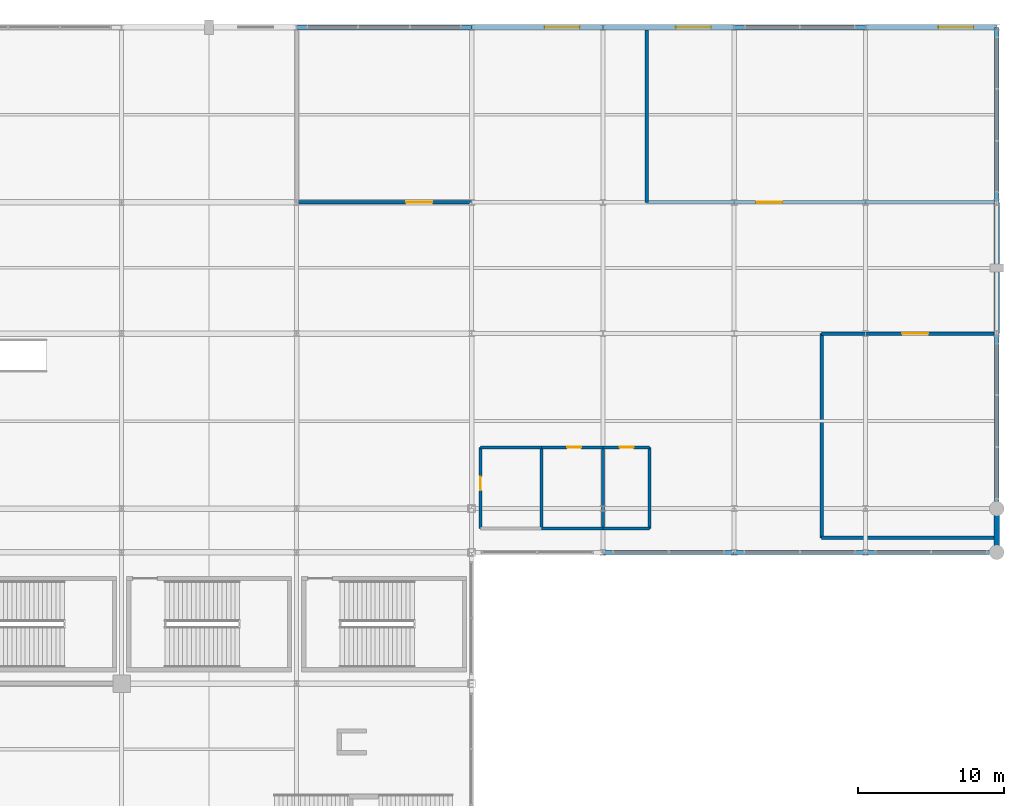
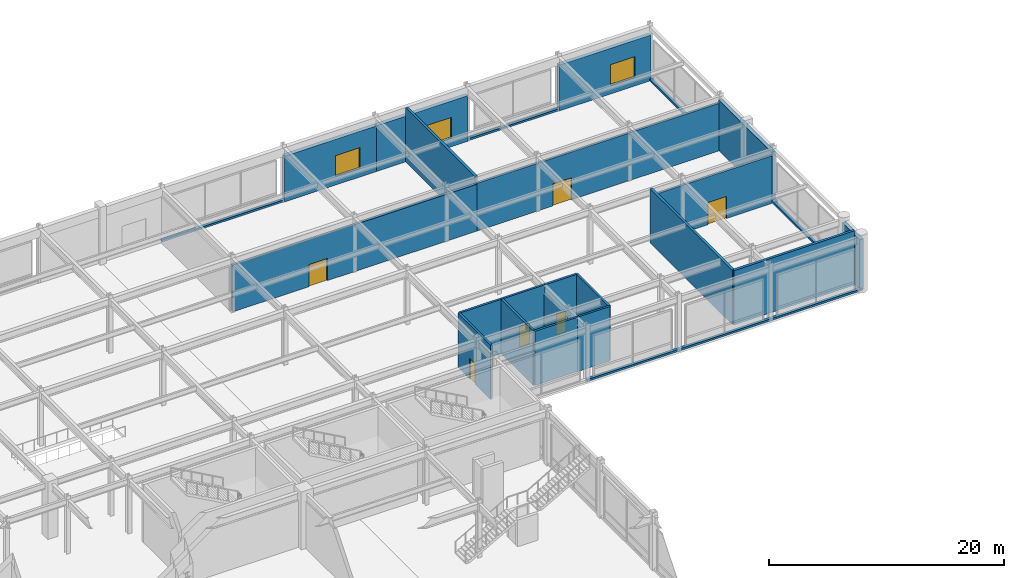
# One storey, part 96 of 108: 27 walls, 6 doors, 3 windows, 9 openings.
"""IFC4 building model written with IfcOpenShell, lengths in metres."""

import ifcopenshell
import ifcopenshell.guid

model = None  # the IFC model being written
_history = None  # IfcOwnerHistory: only IFC2X3 demands one
_inside = {}  # id of a spatial element -> (the spatial element, [elements in it])
_under = {}  # id of a project, library or spatial element -> (it, [spatial elements below it])
_declared = {}  # id of a project -> (the project, [libraries it declares])
_typed = {}  # id of a type object -> (the type object, [elements of that type])
_made_of = {}  # id of a material, layer set ... -> (it, [elements and type objects made of it])


def new_model(schema):
    """Start an empty IFC model of exactly this schema.

    Asked for "IFC4X3", IfcOpenShell would pick the latest addendum, in which some entities
    have other attributes; the version numbers below select the first issue.
    IFC2X3 requires an IfcOwnerHistory on every rooted entity: one is made here for all.
    """
    global model, _history
    if schema == "IFC4X3":
        model = ifcopenshell.file(schema_version=(4, 3, 0, 0))
    else:
        model = ifcopenshell.file(schema=schema)
    _inside.clear()
    _under.clear()
    _declared.clear()
    _typed.clear()
    _made_of.clear()
    _history = None
    if model.schema == "IFC2X3":
        org = make("IfcOrganization", Name="unknown")
        user = make(
            "IfcPersonAndOrganization",
            ThePerson=make("IfcPerson", FamilyName="unknown"),
            TheOrganization=org,
        )
        app = make(
            "IfcApplication",
            ApplicationDeveloper=org,
            Version="unknown",
            ApplicationFullName="unknown",
            ApplicationIdentifier="unknown",
        )
        _history = make(
            "IfcOwnerHistory",
            OwningUser=user,
            OwningApplication=app,
            ChangeAction="ADDED",
            CreationDate=0,
        )
    return model


def make(cls, **values):
    """One entity of the class cls with the attributes given. An attribute that is None is left unset."""
    return model.create_entity(
        cls, **{name: value for name, value in values.items() if value is not None}
    )


def rooted(cls, **values):
    """An entity with a GlobalId (a new one), such as an element, a storey or a relation."""
    return make(cls, GlobalId=ifcopenshell.guid.new(), OwnerHistory=_history, **values)


def si_unit(unit_type, name, prefix=None):
    """IfcSIUnit, for example si_unit("LENGTHUNIT", "METRE", prefix="MILLI")."""
    return make("IfcSIUnit", UnitType=unit_type, Prefix=prefix, Name=name)


def assignment(units):
    """IfcUnitAssignment: the units of a project."""
    return None if units is None else make("IfcUnitAssignment", Units=units)


def point(xyz):
    """IfcCartesianPoint."""
    return None if xyz is None else make("IfcCartesianPoint", Coordinates=xyz)


def direction(xyz):
    """IfcDirection."""
    return None if xyz is None else make("IfcDirection", DirectionRatios=xyz)


def frame(location, z_axis=None, x_axis=None):
    """IfcAxis2Placement3D, a coordinate frame: its origin and axes. An axis left out is left unset."""
    return make(
        "IfcAxis2Placement3D",
        Location=point(location),
        Axis=direction(z_axis),
        RefDirection=direction(x_axis),
    )


def frame_2d(location, x_axis=None):
    """IfcAxis2Placement2D, a coordinate frame in the plane: its origin and x axis."""
    return make(
        "IfcAxis2Placement2D", Location=point(location), RefDirection=direction(x_axis)
    )


def origin():
    """The frame at (0, 0, 0) with its axes left unset."""
    return frame((0.0, 0.0, 0.0))


def place(relative_to, where):
    """IfcLocalPlacement: puts the frame where relative to a parent placement (None: the world)."""
    return make(
        "IfcLocalPlacement", PlacementRelTo=relative_to, RelativePlacement=where
    )


def context(
    kind, dimensions, precision=None, world=None, true_north=None, identifier=None
):
    """IfcGeometricRepresentationContext, for example the 3D "Model" context."""
    return make(
        "IfcGeometricRepresentationContext",
        ContextIdentifier=identifier,
        ContextType=kind,
        CoordinateSpaceDimension=dimensions,
        Precision=precision,
        WorldCoordinateSystem=world,
        TrueNorth=true_north,
    )


def subcontext(parent, identifier, kind, view, scale=None):
    """IfcGeometricRepresentationSubContext, for example "Body" below "Model"."""
    return make(
        "IfcGeometricRepresentationSubContext",
        ContextIdentifier=identifier,
        ContextType=kind,
        ParentContext=parent,
        TargetScale=scale,
        TargetView=view,
    )


def project(units=None, contexts=None):
    """IfcProject with its units and contexts."""
    return rooted(
        "IfcProject",
        Name="project",
        RepresentationContexts=contexts,
        UnitsInContext=assignment(units),
    )


def spatial(cls, under=None, at=None, **own):
    """A site, building, storey or space (cls), placed at a placement, below another one or the project."""
    s = rooted(cls, ObjectPlacement=at, **own)
    if under is not None:
        _under.setdefault(under.id(), (under, []))[1].append(s)
    return s


def profile(cls, at=None, kind="AREA", **sizes):
    """A parametric profile (cls). Its sizes go by their IFC names, for example OverallWidth=200.0."""
    return make(cls, ProfileType=kind, Position=at, **sizes)


def rectangle(**sizes):
    """IfcRectangleProfileDef."""
    return profile("IfcRectangleProfileDef", **sizes)


def extrude(swept, where, along, depth):
    """IfcExtrudedAreaSolid: the profile swept, set in the frame where, extruded along a direction by depth."""
    return make(
        "IfcExtrudedAreaSolid",
        SweptArea=swept,
        Position=where,
        ExtrudedDirection=direction(along),
        Depth=depth,
    )


def shape(context_of_items, identifier, shape_type, items):
    """IfcShapeRepresentation: the items that make up one representation, for example the "Body"."""
    return make(
        "IfcShapeRepresentation",
        ContextOfItems=context_of_items,
        RepresentationIdentifier=identifier,
        RepresentationType=shape_type,
        Items=items,
    )


def material(Name=None, Category=None):
    """IfcMaterial."""
    return make("IfcMaterial", Name=Name, Category=Category)


def layer(
    of_material, thickness, ventilated=None, Name=None, Category=None, Priority=None
):
    """IfcMaterialLayer: one layer of a wall or slab, of a material (None: an air gap)."""
    return make(
        "IfcMaterialLayer",
        Material=of_material,
        LayerThickness=thickness,
        IsVentilated=ventilated,
        Name=Name,
        Category=Category,
        Priority=Priority,
    )


def layer_set(layers, Name=None):
    """IfcMaterialLayerSet."""
    return make("IfcMaterialLayerSet", MaterialLayers=layers, LayerSetName=Name)


def made_of(thing, what):
    """Note that an element or type object is made of a material, layer set ...; save() writes the relation."""
    if what is not None:
        _made_of.setdefault(what.id(), (what, []))[1].append(thing)
    return thing


def type_object(cls, material=None, **own):
    """A type object (cls), such as IfcWallType, which elements share."""
    return made_of(rooted(cls, **own), material)


def element(
    cls,
    number,
    at=None,
    inside=None,
    cuts=None,
    type_object=None,
    material=None,
    context=None,
    identifier="Body",
    shape_type=None,
    held_by="IfcProductDefinitionShape",
    body=None,
    shapes=None,
    **own,
):
    """One element of the class cls, such as IfcWall. Its Tag is "e" and its number.

    at: its placement. inside: the storey or other place that contains it. cuts: it is an
    opening in that element (IfcRelVoidsElement). A single representation is given by context,
    identifier, shape_type and body (its items); several are given by shapes. held_by: the class
    of the entity that holds the representations. save() writes the other relations.
    """
    e = rooted(cls, Tag="e%d" % number, ObjectPlacement=at, **own)
    if body is not None:
        shapes = [shape(context, identifier, shape_type, body)]
    if shapes is not None:
        e.Representation = make(held_by, Representations=shapes)
    if inside is not None:
        _inside.setdefault(inside.id(), (inside, []))[1].append(e)
    if cuts is not None:
        rooted(
            "IfcRelVoidsElement", RelatingBuildingElement=cuts, RelatedOpeningElement=e
        )
    if type_object is not None:
        _typed.setdefault(type_object.id(), (type_object, []))[1].append(e)
    return made_of(e, material)


def fill(opening, filler):
    """IfcRelFillsElement: the door or window that sits in an opening."""
    return rooted(
        "IfcRelFillsElement",
        RelatingOpeningElement=opening,
        RelatedBuildingElement=filler,
    )


def aggregate(whole, parts):
    """IfcRelAggregates: a whole, such as a stair, and the parts it consists of."""
    return rooted("IfcRelAggregates", RelatingObject=whole, RelatedObjects=parts)


def save(model, path):
    """Write the relations noted so far, then the file.

    IfcRelAggregates (storeys below a building ...), IfcRelContainedInSpatialStructure (elements
    in a storey), IfcRelDefinesByType, IfcRelAssociatesMaterial and IfcRelDeclares: one each for
    every whole, place, type object, material and project.
    """
    for whole, parts in _under.values():
        aggregate(whole, parts)
    for where, things in _inside.values():
        rooted(
            "IfcRelContainedInSpatialStructure",
            RelatedElements=things,
            RelatingStructure=where,
        )
    for kind, things in _typed.values():
        rooted("IfcRelDefinesByType", RelatedObjects=things, RelatingType=kind)
    for what, things in _made_of.values():
        rooted("IfcRelAssociatesMaterial", RelatedObjects=things, RelatingMaterial=what)
    for by, libraries in _declared.values():
        rooted("IfcRelDeclares", RelatingContext=by, RelatedDefinitions=libraries)
    model.write(path)


model = new_model("IFC4")

# Units and contexts
model_context = context("Model", 3, precision=1e-05, world=origin(), true_north=direction((0.0, 1.0)))
body_context = subcontext(model_context, "Body", "Model", "MODEL_VIEW")
ifc_project = project(units=[si_unit("LENGTHUNIT", "METRE"), si_unit("AREAUNIT", "SQUARE_METRE"), si_unit("VOLUMEUNIT", "CUBIC_METRE"), si_unit("PLANEANGLEUNIT", "RADIAN"), si_unit("MASSUNIT", "GRAM", prefix="KILO")], contexts=[model_context])

# Site, building, storey
site_placement = place(None, origin())
site = spatial("IfcSite", under=ifc_project, at=site_placement, CompositionType="ELEMENT")
building_placement = place(site_placement, origin())
building = spatial("IfcBuilding", under=site, at=building_placement, Name="Kaldorvane Square Convention Centre", CompositionType="ELEMENT")
storey_placement = place(building_placement, frame((0.0, 0.0, 12.0)))
storey = spatial("IfcBuildingStorey", under=building, at=storey_placement, Name="L02", CompositionType="ELEMENT", Elevation=12.0)

# Wall
ifc_material_1 = material(Name="Reinforced Concrete Masonry Acoustic Partition", Category="masonry")
ifc_layer_1 = layer(ifc_material_1, 0.2400054931640625)
ifc_layer_set_1 = layer_set([ifc_layer_1], Name="Reinforced Concrete Masonry Acoustic Partition")
wall_type_1 = type_object("IfcWallType", Name="WL-ACO-240", PredefinedType="PARTITIONING", material=ifc_layer_set_1)
wall_1_placement = place(storey_placement, frame((162.0, 82.0, 0.0), z_axis=(0.0, 0.0, 1.0), x_axis=(1.0, 0.0, 0.0)))
element("IfcWall", 1, at=wall_1_placement, inside=storey, type_object=wall_type_1, Name="Meeting Room 208 S Wall", PredefinedType="PARTITIONING", context=body_context, shape_type="SweptSolid", body=[
    extrude(rectangle(XDim=11.80999755859375, YDim=0.2400054931640625, at=frame_2d((5.904998779296875, 0.0))), origin(), (0.0, 0.0, 1.0), 5.649993896484375),
])

# Wall, opening, door
wall_2_placement = place(storey_placement, frame((173.80999755859375, 96.0, 0.0), z_axis=(0.0, 0.0, 1.0), x_axis=(-1.0, 0.0, 0.0)))
wall_2 = element("IfcWall", 2, at=wall_2_placement, inside=storey, type_object=wall_type_1, Name="Meeting Room 208 N Wall", PredefinedType="PARTITIONING", context=body_context, shape_type="SweptSolid", body=[
    extrude(rectangle(XDim=11.80999755859375, YDim=0.2400054931640625, at=frame_2d((5.904998779296875, 0.0))), origin(), (0.0, 0.0, 1.0), 4.957000732421875),
])
opening_1_placement = place(wall_2_placement, frame((4.5, 0.0, 0.0)))
opening_1 = element("IfcOpeningElement", 3, at=opening_1_placement, cuts=wall_2, Name="Opening ID-06", PredefinedType="OPENING", context=body_context, shape_type="SweptSolid", body=[
    extrude(rectangle(XDim=1.8000030517578125, YDim=2.3000030517578125, at=frame_2d((0.899993896484375, 1.149993896484375))), frame((0.0, 0.135009765625, 0.0), z_axis=(0.0, -1.0, 0.0), x_axis=(1.0, 0.0, 0.0)), (0.0, 0.0, 1.0), 0.2700042724609375),
])
ifc_material_2 = material(Name="Architectural Solid-Core White Oak")
door_type_1 = type_object("IfcDoorType", Name="DR-MEET-1800X2300", OperationType="DOUBLE_DOOR_SINGLE_SWING", PredefinedType="DOOR", material=ifc_material_2)
door_1_placement = place(opening_1_placement, origin())
door_1 = element("IfcDoor", 4, at=door_1_placement, inside=storey, type_object=door_type_1, Name="Meeting Room 208 Door 1", OperationType="DOUBLE_DOOR_SINGLE_SWING", OverallHeight=2.3000030517578125, OverallWidth=1.8000030517578125, PredefinedType="DOOR", context=body_context, shape_type="SweptSolid", body=[
    extrude(rectangle(XDim=1.8000030517578125, YDim=2.3000030517578125, at=frame_2d((0.899993896484375, 1.149993896484375))), frame((0.0, 0.024993896484375, 0.0), z_axis=(0.0, -1.0, 0.0), x_axis=(1.0, 0.0, 0.0)), (0.0, 0.0, 1.0), 0.0500030517578125),
])
fill(opening_1, door_1)

# Wall
wall_3_placement = place(storey_placement, frame((162.0, 96.0, 0.0), z_axis=(0.0, 0.0, 1.0), x_axis=(0.0, -1.0, 0.0)))
element("IfcWall", 5, at=wall_3_placement, inside=storey, type_object=wall_type_1, Name="Meeting Room 208 W Wall", PredefinedType="PARTITIONING", context=body_context, shape_type="SweptSolid", body=[
    extrude(rectangle(XDim=14.0, YDim=0.2400054931640625, at=frame_2d((7.0, 0.0))), origin(), (0.0, 0.0, 1.0), 5.649993896484375),
])

# Wall, opening, door
wall_4_placement = place(storey_placement, frame((126.0, 105.0, 0.0), z_axis=(0.0, 0.0, 1.0), x_axis=(1.0, 0.0, 0.0)))
wall_4 = element("IfcWall", 6, at=wall_4_placement, inside=storey, type_object=wall_type_1, Name="Meeting Room 209 S Wall", PredefinedType="PARTITIONING", context=body_context, shape_type="SweptSolid", body=[
    extrude(rectangle(XDim=24.0, YDim=0.2400054931640625, at=frame_2d((12.0, 0.0))), origin(), (0.0, 0.0, 1.0), 4.8719940185546875),
])
opening_2_placement = place(wall_4_placement, frame((7.5, 0.0, 0.0)))
opening_2 = element("IfcOpeningElement", 7, at=opening_2_placement, cuts=wall_4, Name="Opening ID-06", PredefinedType="OPENING", context=body_context, shape_type="SweptSolid", body=[
    extrude(rectangle(XDim=1.8000030517578125, YDim=2.3000030517578125, at=frame_2d((0.899993896484375, 1.149993896484375))), frame((0.0, 0.135009765625, 0.0), z_axis=(0.0, -1.0, 0.0), x_axis=(1.0, 0.0, 0.0)), (0.0, 0.0, 1.0), 0.2700042724609375),
])
door_2_placement = place(opening_2_placement, origin())
door_2 = element("IfcDoor", 8, at=door_2_placement, inside=storey, type_object=door_type_1, Name="Meeting Room 209 Door 1", OperationType="DOUBLE_DOOR_SINGLE_SWING", OverallHeight=2.3000030517578125, OverallWidth=1.8000030517578125, PredefinedType="DOOR", context=body_context, shape_type="SweptSolid", body=[
    extrude(rectangle(XDim=1.8000030517578125, YDim=2.3000030517578125, at=frame_2d((0.899993896484375, 1.149993896484375))), frame((0.0, 0.024993896484375, 0.0), z_axis=(0.0, -1.0, 0.0), x_axis=(1.0, 0.0, 0.0)), (0.0, 0.0, 1.0), 0.0500030517578125),
])
fill(opening_2, door_2)

# Wall
wall_5_placement = place(storey_placement, frame((150.0, 105.0, 0.0), z_axis=(0.0, 0.0, 1.0), x_axis=(0.0, 1.0, 0.0)))
element("IfcWall", 9, at=wall_5_placement, inside=storey, type_object=wall_type_1, Name="Meeting Room 209 E Wall", PredefinedType="PARTITIONING", context=body_context, shape_type="SweptSolid", body=[
    extrude(rectangle(XDim=11.80999755859375, YDim=0.2400054931640625, at=frame_2d((5.904998779296875, 0.0))), origin(), (0.0, 0.0, 1.0), 5.649993896484375),
])

# Wall, opening, door
wall_6_placement = place(storey_placement, frame((150.0, 105.0, 0.0), z_axis=(0.0, 0.0, 1.0), x_axis=(1.0, 0.0, 0.0)))
wall_6 = element("IfcWall", 10, at=wall_6_placement, inside=storey, type_object=wall_type_1, Name="Meeting Room 210 S Wall", PredefinedType="PARTITIONING", context=body_context, shape_type="SweptSolid", body=[
    extrude(rectangle(XDim=23.80999755859375, YDim=0.2400054931640625, at=frame_2d((11.904998779296875, 0.0))), origin(), (0.0, 0.0, 1.0), 4.957000732421875),
])
opening_3_placement = place(wall_6_placement, frame((7.5, 0.0, 0.0)))
opening_3 = element("IfcOpeningElement", 11, at=opening_3_placement, cuts=wall_6, Name="Opening ID-06", PredefinedType="OPENING", context=body_context, shape_type="SweptSolid", body=[
    extrude(rectangle(XDim=1.8000030517578125, YDim=2.3000030517578125, at=frame_2d((0.899993896484375, 1.149993896484375))), frame((0.0, 0.135009765625, 0.0), z_axis=(0.0, -1.0, 0.0), x_axis=(1.0, 0.0, 0.0)), (0.0, 0.0, 1.0), 0.2700042724609375),
])
door_3_placement = place(opening_3_placement, origin())
door_3 = element("IfcDoor", 12, at=door_3_placement, inside=storey, type_object=door_type_1, Name="Meeting Room 210 Door 1", OperationType="DOUBLE_DOOR_SINGLE_SWING", OverallHeight=2.3000030517578125, OverallWidth=1.8000030517578125, PredefinedType="DOOR", context=body_context, shape_type="SweptSolid", body=[
    extrude(rectangle(XDim=1.8000030517578125, YDim=2.3000030517578125, at=frame_2d((0.899993896484375, 1.149993896484375))), frame((0.0, 0.024993896484375, 0.0), z_axis=(0.0, -1.0, 0.0), x_axis=(1.0, 0.0, 0.0)), (0.0, 0.0, 1.0), 0.0500030517578125),
])
fill(opening_3, door_3)

# Walls
ifc_material_3 = material(Name="Fire-Rated Gypsum Board on Acoustic Steel Studs", Category="steel")
ifc_layer_2 = layer(ifc_material_3, 0.1999969482421875)
ifc_layer_set_2 = layer_set([ifc_layer_2], Name="Fire-Rated Gypsum Board on Acoustic Steel Studs")
wall_type_2 = type_object("IfcWallType", Name="WL-CORR-200", PredefinedType="PARTITIONING", material=ifc_layer_set_2)
wall_7_placement = place(storey_placement, frame((142.8000030517578, 82.64999389648438, 0.0), z_axis=(0.0, 0.0, 1.0), x_axis=(0.0, 1.0, 0.0)))
element("IfcWall", 13, at=wall_7_placement, inside=storey, type_object=wall_type_2, Name="East Concourse Men's Restroom (L02) E Wall", PredefinedType="PARTITIONING", context=body_context, shape_type="SweptSolid", body=[
    extrude(rectangle(XDim=5.5500030517578125, YDim=0.1999969482421875, at=frame_2d((2.774993896484375, 0.0))), origin(), (0.0, 0.0, 1.0), 5.649993896484375),
])
wall_8_placement = place(storey_placement, frame((142.8000030517578, 88.19999694824219, 0.0), z_axis=(0.0, 0.0, 1.0), x_axis=(-1.0, 0.0, 0.0)))
element("IfcWall", 14, at=wall_8_placement, inside=storey, type_object=wall_type_2, Name="East Concourse Men's Restroom (L02) N Wall", PredefinedType="PARTITIONING", context=body_context, shape_type="SweptSolid", body=[
    extrude(rectangle(XDim=4.1999969482421875, YDim=0.1999969482421875, at=frame_2d((2.100006103515625, 0.0))), origin(), (0.0, 0.0, 1.0), 5.649993896484375),
])

# Wall, opening, door
wall_9_placement = place(storey_placement, frame((138.60000610351562, 88.19999694824219, 0.0), z_axis=(0.0, 0.0, 1.0), x_axis=(0.0, -1.0, 0.0)))
wall_9 = element("IfcWall", 15, at=wall_9_placement, inside=storey, type_object=wall_type_2, Name="East Concourse Men's Restroom (L02) W Wall", PredefinedType="PARTITIONING", context=body_context, shape_type="SweptSolid", body=[
    extrude(rectangle(XDim=5.5500030517578125, YDim=0.1999969482421875, at=frame_2d((2.774993896484375, 0.0))), origin(), (0.0, 0.0, 1.0), 5.649993896484375),
])
opening_4_placement = place(wall_9_placement, frame((2.0, 0.0, 0.0)))
opening_4 = element("IfcOpeningElement", 16, at=opening_4_placement, cuts=wall_9, Name="Opening ID-13", PredefinedType="OPENING", context=body_context, shape_type="SweptSolid", body=[
    extrude(rectangle(XDim=0.9499969482421875, YDim=2.149993896484375, at=frame_2d((0.475006103515625, 1.0749969482421875))), frame((0.0, 0.114990234375, 0.0), z_axis=(0.0, -1.0, 0.0), x_axis=(1.0, 0.0, 0.0)), (0.0, 0.0, 1.0), 0.2299957275390625),
])
door_type_2 = type_object("IfcDoorType", Name="DR-WC-0950X2150", OperationType="SINGLE_SWING_LEFT", PredefinedType="DOOR", material=ifc_material_2)
door_4_placement = place(opening_4_placement, origin())
door_4 = element("IfcDoor", 17, at=door_4_placement, inside=storey, type_object=door_type_2, Name="East Concourse Men's Restroom (L02) Door 1", OperationType="SINGLE_SWING_LEFT", OverallHeight=2.149993896484375, OverallWidth=0.9499969482421875, PredefinedType="DOOR", context=body_context, shape_type="SweptSolid", body=[
    extrude(rectangle(XDim=0.9499969482421875, YDim=2.149993896484375, at=frame_2d((0.475006103515625, 1.0749969482421875))), frame((0.0, 0.024993896484375, 0.0), z_axis=(0.0, -1.0, 0.0), x_axis=(1.0, 0.0, 0.0)), (0.0, 0.0, 1.0), 0.0500030517578125),
])
fill(opening_4, door_4)

# Walls
wall_10_placement = place(storey_placement, frame((142.8000030517578, 82.64999389648438, 0.0), z_axis=(0.0, 0.0, 1.0), x_axis=(1.0, 0.0, 0.0)))
element("IfcWall", 18, at=wall_10_placement, inside=storey, type_object=wall_type_2, Name="East Concourse Women's Restroom (L02) S Wall", PredefinedType="PARTITIONING", context=body_context, shape_type="SweptSolid", body=[
    extrude(rectangle(XDim=4.1999969482421875, YDim=0.1999969482421875, at=frame_2d((2.100006103515625, 0.0))), origin(), (0.0, 0.0, 1.0), 5.649993896484375),
])
wall_11_placement = place(storey_placement, frame((147.0, 82.64999389648438, 0.0), z_axis=(0.0, 0.0, 1.0), x_axis=(0.0, 1.0, 0.0)))
element("IfcWall", 19, at=wall_11_placement, inside=storey, type_object=wall_type_2, Name="East Concourse Women's Restroom (L02) E Wall", PredefinedType="PARTITIONING", context=body_context, shape_type="SweptSolid", body=[
    extrude(rectangle(XDim=5.5500030517578125, YDim=0.1999969482421875, at=frame_2d((2.774993896484375, 0.0))), origin(), (0.0, 0.0, 1.0), 4.8000030517578125),
])

# Wall, opening, door
wall_12_placement = place(storey_placement, frame((147.0, 88.19999694824219, 0.0), z_axis=(0.0, 0.0, 1.0), x_axis=(-1.0, 0.0, 0.0)))
wall_12 = element("IfcWall", 20, at=wall_12_placement, inside=storey, type_object=wall_type_2, Name="East Concourse Women's Restroom (L02) N Wall", PredefinedType="PARTITIONING", context=body_context, shape_type="SweptSolid", body=[
    extrude(rectangle(XDim=4.1999969482421875, YDim=0.1999969482421875, at=frame_2d((2.100006103515625, 0.0))), origin(), (0.0, 0.0, 1.0), 5.649993896484375),
])
opening_5_placement = place(wall_12_placement, frame((1.5, 0.0, 0.0)))
opening_5 = element("IfcOpeningElement", 21, at=opening_5_placement, cuts=wall_12, Name="Opening ID-13", PredefinedType="OPENING", context=body_context, shape_type="SweptSolid", body=[
    extrude(rectangle(XDim=0.9499969482421875, YDim=2.149993896484375, at=frame_2d((0.475006103515625, 1.0749969482421875))), frame((0.0, 0.114990234375, 0.0), z_axis=(0.0, -1.0, 0.0), x_axis=(1.0, 0.0, 0.0)), (0.0, 0.0, 1.0), 0.2299957275390625),
])
door_5_placement = place(opening_5_placement, origin())
door_5 = element("IfcDoor", 22, at=door_5_placement, inside=storey, type_object=door_type_2, Name="East Concourse Women's Restroom (L02) Door 1", OperationType="SINGLE_SWING_LEFT", OverallHeight=2.149993896484375, OverallWidth=0.9499969482421875, PredefinedType="DOOR", context=body_context, shape_type="SweptSolid", body=[
    extrude(rectangle(XDim=0.9499969482421875, YDim=2.149993896484375, at=frame_2d((0.475006103515625, 1.0749969482421875))), frame((0.0, 0.024993896484375, 0.0), z_axis=(0.0, -1.0, 0.0), x_axis=(1.0, 0.0, 0.0)), (0.0, 0.0, 1.0), 0.0500030517578125),
])
fill(opening_5, door_5)

# Walls
wall_13_placement = place(storey_placement, frame((147.0, 82.64999389648438, 0.0), z_axis=(0.0, 0.0, 1.0), x_axis=(1.0, 0.0, 0.0)))
element("IfcWall", 23, at=wall_13_placement, inside=storey, type_object=wall_type_2, Name="East Concourse Accessible Restroom (L02) S Wall", PredefinedType="PARTITIONING", context=body_context, shape_type="SweptSolid", body=[
    extrude(rectangle(XDim=3.1999969482421875, YDim=0.1999969482421875, at=frame_2d((1.600006103515625, 0.0))), origin(), (0.0, 0.0, 1.0), 5.649993896484375),
])
wall_14_placement = place(storey_placement, frame((150.1999969482422, 82.64999389648438, 0.0), z_axis=(0.0, 0.0, 1.0), x_axis=(0.0, 1.0, 0.0)))
element("IfcWall", 24, at=wall_14_placement, inside=storey, type_object=wall_type_2, Name="East Concourse Accessible Restroom (L02) E Wall", PredefinedType="PARTITIONING", context=body_context, shape_type="SweptSolid", body=[
    extrude(rectangle(XDim=5.5500030517578125, YDim=0.1999969482421875, at=frame_2d((2.774993896484375, 0.0))), origin(), (0.0, 0.0, 1.0), 5.649993896484375),
])

# Wall, opening, door
wall_15_placement = place(storey_placement, frame((150.1999969482422, 88.19999694824219, 0.0), z_axis=(0.0, 0.0, 1.0), x_axis=(-1.0, 0.0, 0.0)))
wall_15 = element("IfcWall", 25, at=wall_15_placement, inside=storey, type_object=wall_type_2, Name="East Concourse Accessible Restroom (L02) N Wall", PredefinedType="PARTITIONING", context=body_context, shape_type="SweptSolid", body=[
    extrude(rectangle(XDim=3.1999969482421875, YDim=0.1999969482421875, at=frame_2d((1.600006103515625, 0.0))), origin(), (0.0, 0.0, 1.0), 5.649993896484375),
])
opening_6_placement = place(wall_15_placement, frame((1.100006103515625, 0.0, 0.0)))
opening_6 = element("IfcOpeningElement", 26, at=opening_6_placement, cuts=wall_15, Name="Opening ID-13", PredefinedType="OPENING", context=body_context, shape_type="SweptSolid", body=[
    extrude(rectangle(XDim=0.9499969482421875, YDim=2.149993896484375, at=frame_2d((0.475006103515625, 1.0749969482421875))), frame((0.0, 0.114990234375, 0.0), z_axis=(0.0, -1.0, 0.0), x_axis=(1.0, 0.0, 0.0)), (0.0, 0.0, 1.0), 0.2299957275390625),
])
door_6_placement = place(opening_6_placement, origin())
door_6 = element("IfcDoor", 27, at=door_6_placement, inside=storey, type_object=door_type_2, Name="East Concourse Accessible Restroom (L02) Door 1", OperationType="SINGLE_SWING_LEFT", OverallHeight=2.149993896484375, OverallWidth=0.9499969482421875, PredefinedType="DOOR", context=body_context, shape_type="SweptSolid", body=[
    extrude(rectangle(XDim=0.9499969482421875, YDim=2.149993896484375, at=frame_2d((0.475006103515625, 1.0749969482421875))), frame((0.0, 0.024993896484375, 0.0), z_axis=(0.0, -1.0, 0.0), x_axis=(1.0, 0.0, 0.0)), (0.0, 0.0, 1.0), 0.0500030517578125),
])
fill(opening_6, door_6)

# Wall, opening, window
ifc_material_4 = material(Name="Concrete f'c = 42 MPa (Normalweight)", Category="concrete")
ifc_layer_3 = layer(ifc_material_4, 0.3800048828125)
ifc_layer_set_3 = layer_set([ifc_layer_3], Name="Concrete f'c = 42 MPa (Normalweight)")
wall_type_3 = type_object("IfcWallType", Name="WL-EXT-380", PredefinedType="STANDARD", material=ifc_layer_set_3)
wall_16_placement = place(storey_placement, frame((147.0, 117.0, 0.0), z_axis=(0.0, 0.0, 1.0), x_axis=(-1.0, 0.0, 0.0)))
wall_16 = element("IfcWall", 28, at=wall_16_placement, inside=storey, type_object=wall_type_3, Name="North Square Brutalist Facade Wall (L02)", PredefinedType="STANDARD", context=body_context, shape_type="SweptSolid", body=[
    extrude(rectangle(XDim=9.0, YDim=0.3800048828125, at=frame_2d((4.5, 0.0))), origin(), (0.0, 0.0, 1.0), 4.746002197265625),
])
opening_7_placement = place(wall_16_placement, frame((1.600006103515625, 0.0, 0.899993896484375)))
opening_7 = element("IfcOpeningElement", 29, at=opening_7_placement, cuts=wall_16, Name="Opening W-19", PredefinedType="OPENING", context=body_context, shape_type="SweptSolid", body=[
    extrude(rectangle(XDim=2.399993896484375, YDim=2.149993896484375, at=frame_2d((1.1999969482421875, 1.0749969482421875))), frame((0.0, 0.2050018310546875, 0.0), z_axis=(0.0, -1.0, 0.0), x_axis=(1.0, 0.0, 0.0)), (0.0, 0.0, 1.0), 0.410003662109375),
])
ifc_material_5 = material(Name="Anodized Aluminum and Low-E Insulated Glazing", Category="aluminium")
window_type = type_object("IfcWindowType", Name="WN-POD-2400X2150", PartitioningType="DOUBLE_PANEL_VERTICAL", PredefinedType="WINDOW", material=ifc_material_5)
window_1_placement = place(opening_7_placement, origin())
window_1 = element("IfcWindow", 30, at=window_1_placement, inside=storey, type_object=window_type, Name="North Facade Window (L02)", OverallHeight=2.149993896484375, OverallWidth=2.399993896484375, PartitioningType="DOUBLE_PANEL_VERTICAL", PredefinedType="WINDOW", context=body_context, shape_type="SweptSolid", body=[
    extrude(rectangle(XDim=2.399993896484375, YDim=2.149993896484375, at=frame_2d((1.1999969482421875, 1.0749969482421875))), frame((0.0, 0.029998779296875, 0.0), z_axis=(0.0, -1.0, 0.0), x_axis=(1.0, 0.0, 0.0)), (0.0, 0.0, 1.0), 0.05999755859375),
])
fill(opening_7, window_1)

wall_17_placement = place(storey_placement, frame((156.0, 117.0, 0.0), z_axis=(0.0, 0.0, 1.0), x_axis=(-1.0, 0.0, 0.0)))
wall_17 = element("IfcWall", 31, at=wall_17_placement, inside=storey, type_object=wall_type_3, Name="North Square Brutalist Facade Wall (L02)", PredefinedType="STANDARD", context=body_context, shape_type="SweptSolid", body=[
    extrude(rectangle(XDim=9.0, YDim=0.3800048828125, at=frame_2d((4.5, 0.0))), origin(), (0.0, 0.0, 1.0), 4.746002197265625),
])
opening_8_placement = place(wall_17_placement, frame((1.600006103515625, 0.0, 0.899993896484375)))
opening_8 = element("IfcOpeningElement", 32, at=opening_8_placement, cuts=wall_17, Name="Opening W-19", PredefinedType="OPENING", context=body_context, shape_type="SweptSolid", body=[
    extrude(rectangle(XDim=2.399993896484375, YDim=2.149993896484375, at=frame_2d((1.1999969482421875, 1.0749969482421875))), frame((0.0, 0.2050018310546875, 0.0), z_axis=(0.0, -1.0, 0.0), x_axis=(1.0, 0.0, 0.0)), (0.0, 0.0, 1.0), 0.410003662109375),
])
window_2_placement = place(opening_8_placement, origin())
window_2 = element("IfcWindow", 33, at=window_2_placement, inside=storey, type_object=window_type, Name="North Facade Window (L02)", OverallHeight=2.149993896484375, OverallWidth=2.399993896484375, PartitioningType="DOUBLE_PANEL_VERTICAL", PredefinedType="WINDOW", context=body_context, shape_type="SweptSolid", body=[
    extrude(rectangle(XDim=2.399993896484375, YDim=2.149993896484375, at=frame_2d((1.1999969482421875, 1.0749969482421875))), frame((0.0, 0.029998779296875, 0.0), z_axis=(0.0, -1.0, 0.0), x_axis=(1.0, 0.0, 0.0)), (0.0, 0.0, 1.0), 0.05999755859375),
])
fill(opening_8, window_2)

wall_18_placement = place(storey_placement, frame((174.0, 117.0, 0.0), z_axis=(0.0, 0.0, 1.0), x_axis=(-1.0, 0.0, 0.0)))
wall_18 = element("IfcWall", 34, at=wall_18_placement, inside=storey, type_object=wall_type_3, Name="North Square Brutalist Facade Wall (L02)", PredefinedType="STANDARD", context=body_context, shape_type="SweptSolid", body=[
    extrude(rectangle(XDim=9.0, YDim=0.3800048828125, at=frame_2d((4.5, 0.0))), origin(), (0.0, 0.0, 1.0), 4.746002197265625),
])
opening_9_placement = place(wall_18_placement, frame((1.600006103515625, 0.0, 0.899993896484375)))
opening_9 = element("IfcOpeningElement", 35, at=opening_9_placement, cuts=wall_18, Name="Opening W-19", PredefinedType="OPENING", context=body_context, shape_type="SweptSolid", body=[
    extrude(rectangle(XDim=2.399993896484375, YDim=2.149993896484375, at=frame_2d((1.1999969482421875, 1.0749969482421875))), frame((0.0, 0.2050018310546875, 0.0), z_axis=(0.0, -1.0, 0.0), x_axis=(1.0, 0.0, 0.0)), (0.0, 0.0, 1.0), 0.410003662109375),
])
window_3_placement = place(opening_9_placement, origin())
window_3 = element("IfcWindow", 36, at=window_3_placement, inside=storey, type_object=window_type, Name="North Facade Window (L02)", OverallHeight=2.149993896484375, OverallWidth=2.399993896484375, PartitioningType="DOUBLE_PANEL_VERTICAL", PredefinedType="WINDOW", context=body_context, shape_type="SweptSolid", body=[
    extrude(rectangle(XDim=2.399993896484375, YDim=2.149993896484375, at=frame_2d((1.1999969482421875, 1.0749969482421875))), frame((0.0, 0.029998779296875, 0.0), z_axis=(0.0, -1.0, 0.0), x_axis=(1.0, 0.0, 0.0)), (0.0, 0.0, 1.0), 0.05999755859375),
])
fill(opening_9, window_3)

# Walls
wall_19_placement = place(storey_placement, frame((174.0, 81.0, 0.0), z_axis=(0.0, 0.0, 1.0), x_axis=(0.0, 1.0, 0.0)))
element("IfcWall", 37, at=wall_19_placement, inside=storey, type_object=wall_type_3, Name="East Square Brutalist Wing Wall (L02)", PredefinedType="STANDARD", context=body_context, shape_type="SweptSolid", body=[
    extrude(rectangle(XDim=3.0, YDim=0.3800048828125, at=frame_2d((1.5, 0.0))), origin(), (0.0, 0.0, 1.0), 5.2389984130859375),
])
wall_20_placement = place(storey_placement, frame((174.0, 96.0, 0.0), z_axis=(0.0, 0.0, 1.0), x_axis=(0.0, 1.0, 0.0)))
element("IfcWall", 38, at=wall_20_placement, inside=storey, type_object=wall_type_3, Name="East Square Brutalist Wing Wall (L02)", PredefinedType="STANDARD", context=body_context, shape_type="SweptSolid", body=[
    extrude(rectangle(XDim=9.0, YDim=0.3800048828125, at=frame_2d((4.5, 0.0))), origin(), (0.0, 0.0, 1.0), 5.2389984130859375),
])
ifc_material_6 = material(Name="Concrete f'c = 35 MPa (Normalweight)", Category="concrete")
ifc_layer_4 = layer(ifc_material_6, 0.279998779296875)
ifc_layer_set_4 = layer_set([ifc_layer_4], Name="Concrete f'c = 35 MPa (Normalweight)")
wall_type_4 = type_object("IfcWallType", Name="WL-PAR-280", PredefinedType="PARAPET", material=ifc_layer_set_4)
wall_21_placement = place(storey_placement, frame((138.0, 117.0, 0.0), z_axis=(0.0, 0.0, 1.0), x_axis=(-1.0, 0.0, 0.0)))
element("IfcWall", 39, at=wall_21_placement, inside=storey, type_object=wall_type_4, Name="North Curtain-Wall Sill Kerb (L02)", PredefinedType="PARAPET", context=body_context, shape_type="SweptSolid", body=[
    extrude(rectangle(XDim=12.0, YDim=0.279998779296875, at=frame_2d((6.0, 0.0))), origin(), (0.0, 0.0, 1.0), 0.1999969482421875),
])
wall_22_placement = place(storey_placement, frame((165.0, 117.0, 0.0), z_axis=(0.0, 0.0, 1.0), x_axis=(-1.0, 0.0, 0.0)))
element("IfcWall", 40, at=wall_22_placement, inside=storey, type_object=wall_type_4, Name="North Curtain-Wall Sill Kerb (L02)", PredefinedType="PARAPET", context=body_context, shape_type="SweptSolid", body=[
    extrude(rectangle(XDim=9.0, YDim=0.279998779296875, at=frame_2d((4.5, 0.0))), origin(), (0.0, 0.0, 1.0), 0.1999969482421875),
])
for number, where, z_axis, x_axis, name in (
    (41, (174.0, 84.0, 0.0), (0.0, 0.0, 1.0), (0.0, 1.0, 0.0), "East Curtain-Wall Sill Kerb (L02)"),
    (42, (174.0, 105.0, 0.0), (0.0, 0.0, 1.0), (0.0, 1.0, 0.0), "East Curtain-Wall Sill Kerb (L02)"),
):
    element("IfcWall", number, at=place(storey_placement, frame(where, z_axis=z_axis, x_axis=x_axis)), inside=storey, type_object=wall_type_4, Name=name, PredefinedType="PARAPET", context=body_context, shape_type="SweptSolid", body=[
        extrude(rectangle(XDim=12.0, YDim=0.279998779296875, at=frame_2d((6.0, 0.0))), origin(), (0.0, 0.0, 1.0), 0.1999969482421875),
    ])
for number, where, z_axis, x_axis, name in (
    (43, (147.0, 81.0, 0.0), (0.0, 0.0, 1.0), (1.0, 0.0, 0.0), "Forecourt Glazing Sill (L02)"),
    (44, (156.0, 81.0, 0.0), (0.0, 0.0, 1.0), (1.0, 0.0, 0.0), "Forecourt Glazing Sill (L02)"),
    (45, (165.0, 81.0, 0.0), (0.0, 0.0, 1.0), (1.0, 0.0, 0.0), "Forecourt Glazing Sill (L02)"),
):
    element("IfcWall", number, at=place(storey_placement, frame(where, z_axis=z_axis, x_axis=x_axis)), inside=storey, type_object=wall_type_4, Name=name, PredefinedType="PARAPET", context=body_context, shape_type="SweptSolid", body=[
        extrude(rectangle(XDim=9.0, YDim=0.279998779296875, at=frame_2d((4.5, 0.0))), origin(), (0.0, 0.0, 1.0), 0.1999969482421875),
    ])

save(model, "model.ifc")
